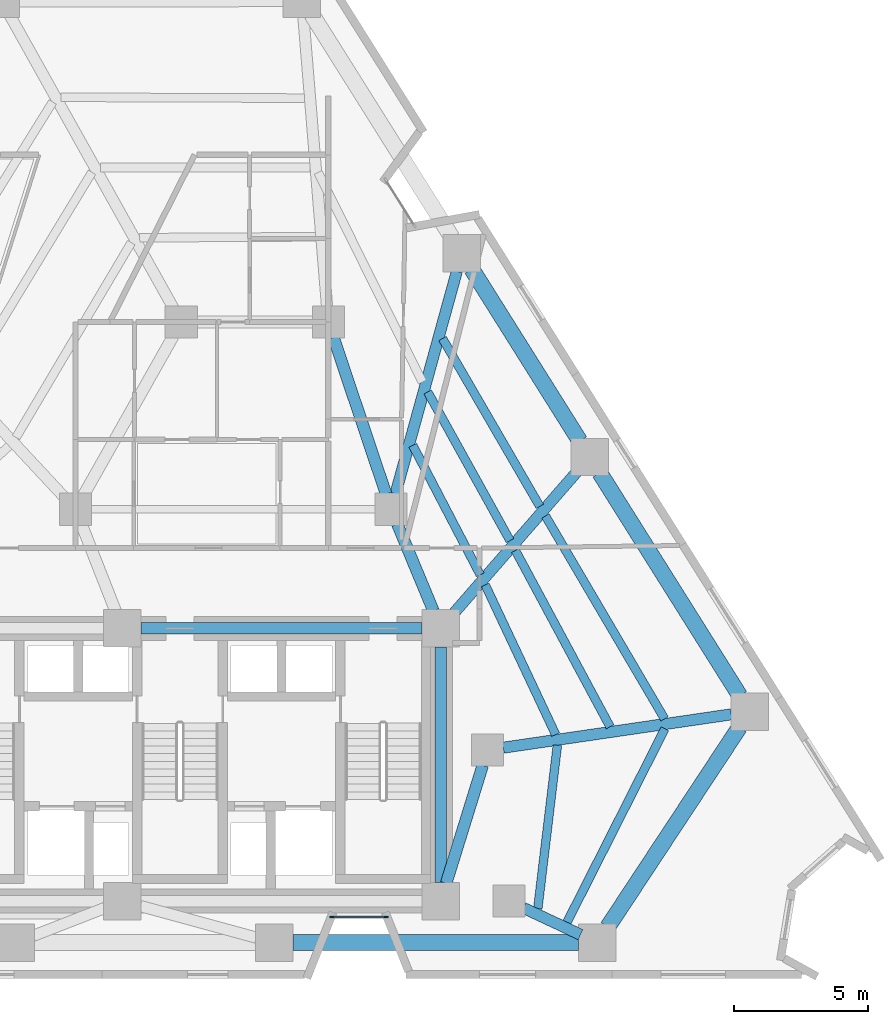
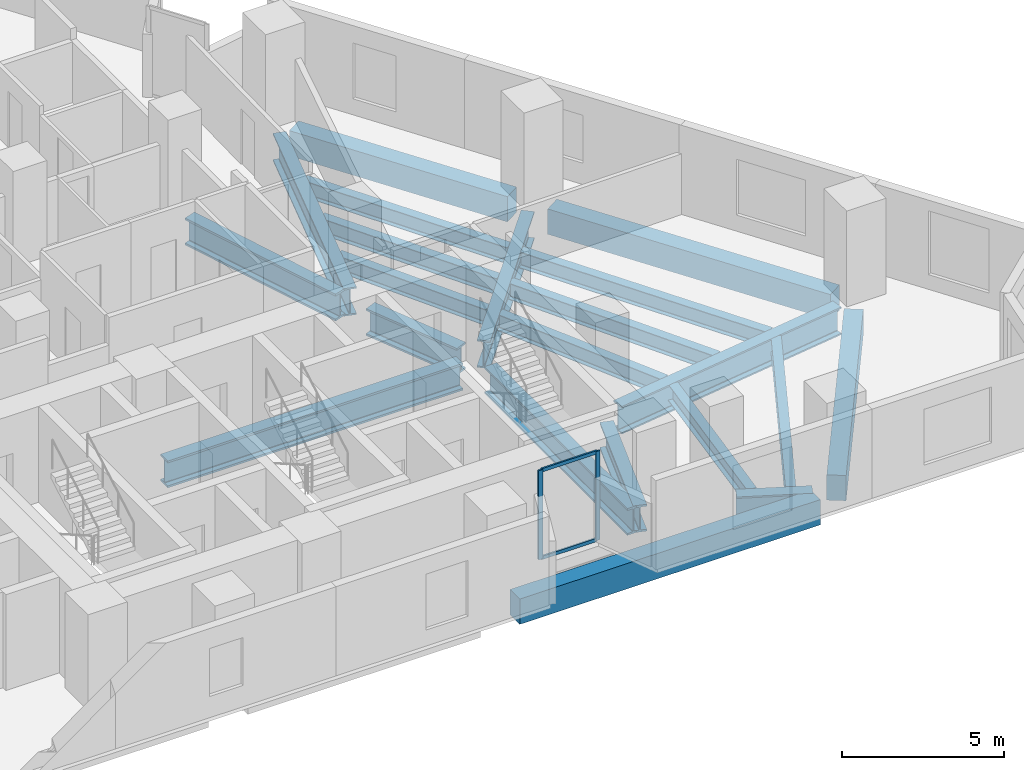
# One storey, part 4 of 14: 21 beams, 4 members, 1 element without a shape of its own.
"""IFC4 building model written with IfcOpenShell, lengths in metres."""

from ifc_helpers import new_model, si_unit, direction, frame, origin, origin_2d, place, context, subcontext, project, spatial, rectangle, i_section, extrude, material, layer, layer_set, material_profile, profile_set, type_object, element, aggregate, save


model = new_model("IFC4")

# Units and contexts
model_context = context("Model", 3, precision=1e-05, world=origin(), true_north=direction((0.0, 1.0)))
body_context = subcontext(model_context, "Body", "Model", "MODEL_VIEW")
ifc_project = project(units=[si_unit("LENGTHUNIT", "METRE"), si_unit("AREAUNIT", "SQUARE_METRE"), si_unit("VOLUMEUNIT", "CUBIC_METRE"), si_unit("PLANEANGLEUNIT", "RADIAN"), si_unit("MASSUNIT", "GRAM", prefix="KILO")], contexts=[model_context])

# Site, building, storey
site_placement = place(None, origin())
site = spatial("IfcSite", under=ifc_project, at=site_placement, CompositionType="ELEMENT")
building_placement = place(site_placement, origin())
building = spatial("IfcBuilding", under=site, at=building_placement, Name="Almagre Mirador Tower", CompositionType="ELEMENT")
storey_placement = place(building_placement, frame((0.0, 0.0, 60.60009765625)))
storey = spatial("IfcBuildingStorey", under=building, at=storey_placement, Name="L14", CompositionType="ELEMENT", Elevation=60.60009765625)

# Beams
ifc_material_1 = material(Name="Steel ASTM A992 Grade 50", Category="steel")
ifc_material_profile_1 = material_profile(ifc_material_1, i_section(OverallWidth=0.323974609375, OverallDepth=0.611083984375, WebThickness=0.0126953125, FlangeThickness=0.01904296875, FilletRadius=0.02001953125, at=origin_2d()), Name="W24X104")
ifc_profile_set_1 = profile_set([ifc_material_profile_1], Name="Steel ASTM A992 Grade 50")
beam_type_1 = type_object("IfcBeamType", Name="BM-JST-W24X104", PredefinedType="JOIST", material=ifc_profile_set_1)
beam_1_placement = place(storey_placement, frame((51.77490234375, 3.763427734375, -0.5556640625), z_axis=(0.45132909199, 0.892357580079, 0.0), x_axis=(-0.892357580079, 0.45132909199, 0.0)))
element("IfcBeam", 1, at=beam_1_placement, inside=storey, type_object=beam_type_1, Name="L14 secondary floor joist PC04-PC05.1", PredefinedType="JOIST", context=body_context, shape_type="SweptSolid", body=[
    extrude(i_section(OverallWidth=0.323974609375, OverallDepth=0.611083984375, WebThickness=0.0126953125, FlangeThickness=0.01904296875, FilletRadius=0.02001953125, at=origin_2d()), origin(), (0.0, 0.0, 1.0), 8.10595703125),
])
beam_2_placement = place(storey_placement, frame((50.6806640625, 4.263916015625, -0.5556640625), z_axis=(0.119026397741, 0.99289109002, 0.0), x_axis=(-0.99289109002, 0.119026397741, 0.0)))
element("IfcBeam", 2, at=beam_2_placement, inside=storey, type_object=beam_type_1, Name="L14 secondary floor joist PC04-PC05.3", PredefinedType="JOIST", context=body_context, shape_type="SweptSolid", body=[
    extrude(i_section(OverallWidth=0.323974609375, OverallDepth=0.611083984375, WebThickness=0.0126953125, FlangeThickness=0.01904296875, FilletRadius=0.02001953125, at=origin_2d()), origin(), (0.0, 0.0, 1.0), 6.157470703125),
])
beam_3_placement = place(storey_placement, frame((55.421875, 11.364501953125, -0.5556640625), z_axis=(-0.506385486281, 0.86230721862, 0.0), x_axis=(-0.86230721862, -0.506385486281, 0.0)))
element("IfcBeam", 3, at=beam_3_placement, inside=storey, type_object=beam_type_1, Name="L14 secondary floor joist PC05-PC06.1", PredefinedType="JOIST", context=body_context, shape_type="SweptSolid", body=[
    extrude(i_section(OverallWidth=0.323974609375, OverallDepth=0.611083984375, WebThickness=0.0126953125, FlangeThickness=0.01904296875, FilletRadius=0.02001953125, at=origin_2d()), origin(), (0.0, 0.0, 1.0), 8.79443359375),
])
beam_4_placement = place(storey_placement, frame((53.384033203125, 11.0693359375, -0.5556640625), z_axis=(-0.473167442946, 0.880972514291, 0.0), x_axis=(-0.880972514291, -0.473167442946, 0.0)))
element("IfcBeam", 4, at=beam_4_placement, inside=storey, type_object=beam_type_1, Name="L14 secondary floor joist PC05-PC06.2", PredefinedType="JOIST", context=body_context, shape_type="SweptSolid", body=[
    extrude(i_section(OverallWidth=0.323974609375, OverallDepth=0.611083984375, WebThickness=0.0126953125, FlangeThickness=0.01904296875, FilletRadius=0.02001953125, at=origin_2d()), origin(), (0.0, 0.0, 1.0), 7.481689453125),
])
beam_5_placement = place(storey_placement, frame((51.34912109375, 10.775390625, -0.5556640625), z_axis=(-0.425658253991, 0.904883998538, 0.0), x_axis=(-0.904883998538, -0.425658253991, 0.0)))
element("IfcBeam", 5, at=beam_5_placement, inside=storey, type_object=beam_type_1, Name="L14 secondary floor joist PC05-PC06.3", PredefinedType="JOIST", context=body_context, shape_type="SweptSolid", body=[
    extrude(i_section(OverallWidth=0.323974609375, OverallDepth=0.611083984375, WebThickness=0.0126953125, FlangeThickness=0.01904296875, FilletRadius=0.02001953125, at=origin_2d()), origin(), (0.0, 0.0, 1.0), 6.184814453125),
])
beam_6_placement = place(storey_placement, frame((50.75732421875, 19.309814453125, -0.5556640625), z_axis=(-0.501684848086, 0.865050468586, 0.0), x_axis=(-0.865050468586, -0.501684848086, 0.0)))
element("IfcBeam", 6, at=beam_6_placement, inside=storey, type_object=beam_type_1, Name="L14 secondary floor joist PC06-PC07.1", PredefinedType="JOIST", context=body_context, shape_type="SweptSolid", body=[
    extrude(i_section(OverallWidth=0.323974609375, OverallDepth=0.611083984375, WebThickness=0.0126953125, FlangeThickness=0.01904296875, FilletRadius=0.02001953125, at=origin_2d()), origin(), (0.0, 0.0, 1.0), 7.25439453125),
])
beam_7_placement = place(storey_placement, frame((49.643310546875, 18.0283203125, -0.5556640625), z_axis=(-0.484660833116, 0.87470216465, 0.0), x_axis=(-0.87470216465, -0.484660833116, 0.0)))
element("IfcBeam", 7, at=beam_7_placement, inside=storey, type_object=beam_type_1, Name="L14 secondary floor joist PC06-PC07.2", PredefinedType="JOIST", context=body_context, shape_type="SweptSolid", body=[
    extrude(i_section(OverallWidth=0.323974609375, OverallDepth=0.611083984375, WebThickness=0.0126953125, FlangeThickness=0.01904296875, FilletRadius=0.02001953125, at=origin_2d()), origin(), (0.0, 0.0, 1.0), 6.355224609375),
])
beam_8_placement = place(storey_placement, frame((48.530517578125, 16.747314453125, -0.5556640625), z_axis=(-0.462141076128, 0.88680641955, 0.0), x_axis=(-0.88680641955, -0.462141076128, 0.0)))
element("IfcBeam", 8, at=beam_8_placement, inside=storey, type_object=beam_type_1, Name="L14 secondary floor joist PC06-PC07.3", PredefinedType="JOIST", context=body_context, shape_type="SweptSolid", body=[
    extrude(i_section(OverallWidth=0.323974609375, OverallDepth=0.611083984375, WebThickness=0.0126953125, FlangeThickness=0.01904296875, FilletRadius=0.02001953125, at=origin_2d()), origin(), (0.0, 0.0, 1.0), 5.459228515625),
])
ifc_material_2 = material(Name="Precast concrete C50/60", Category="concrete")
ifc_material_profile_2 = material_profile(ifc_material_2, rectangle(XDim=0.60009765625, YDim=0.949951171875, at=origin_2d()), Name="RC600X950")
ifc_profile_set_2 = profile_set([ifc_material_profile_2], Name="Precast concrete C50/60")
beam_type_2 = type_object("IfcBeamType", Name="BM-SPN-RC600X950", PredefinedType="SPANDREL", material=ifc_profile_set_2)
beam_9_placement = place(storey_placement, frame((41.531982421875, 3.0, -0.72509765625), z_axis=(1.0, 0.0, 0.0), x_axis=(0.0, 1.0, 0.0)))
element("IfcBeam", 9, at=beam_9_placement, inside=storey, type_object=beam_type_2, Name="L14 perimeter spandrel beam PC03-PC04", PredefinedType="SPANDREL", context=body_context, shape_type="SweptSolid", body=[
    extrude(rectangle(XDim=0.60009765625, YDim=0.949951171875, at=origin_2d()), origin(), (0.0, 0.0, 1.0), 10.679931640625),
])
beam_10_placement = place(storey_placement, frame((53.29736328125, 3.58447265625, -0.72509765625), z_axis=(0.550560338686, 0.834795372211, 0.0), x_axis=(-0.834795372211, 0.550560338686, 0.0)))
element("IfcBeam", 10, at=beam_10_placement, inside=storey, type_object=beam_type_2, Name="L14 perimeter spandrel beam PC04-PC05", PredefinedType="SPANDREL", context=body_context, shape_type="SweptSolid", body=[
    extrude(rectangle(XDim=0.60009765625, YDim=0.949951171875, at=origin_2d()), origin(), (0.0, 0.0, 1.0), 8.9423828125),
])
beam_11_placement = place(storey_placement, frame((58.233642578125, 12.226806640625, -0.72509765625), z_axis=(-0.531919552243, 0.846794892487, 0.0), x_axis=(-0.846794892487, -0.531919552243, 0.0)))
element("IfcBeam", 11, at=beam_11_placement, inside=storey, type_object=beam_type_2, Name="L14 perimeter spandrel beam PC05-PC06", PredefinedType="SPANDREL", context=body_context, shape_type="SweptSolid", body=[
    extrude(rectangle(XDim=0.60009765625, YDim=0.949951171875, at=origin_2d()), origin(), (0.0, 0.0, 1.0), 9.84228515625),
])
beam_12_placement = place(storey_placement, frame((52.253662109375, 21.746826171875, -0.72509765625), z_axis=(-0.531919345601, 0.84679502229, 0.0), x_axis=(-0.84679502229, -0.531919345601, 0.0)))
element("IfcBeam", 12, at=beam_12_placement, inside=storey, type_object=beam_type_2, Name="L14 perimeter spandrel beam PC06-PC07", PredefinedType="SPANDREL", context=body_context, shape_type="SweptSolid", body=[
    extrude(rectangle(XDim=0.60009765625, YDim=0.949951171875, at=origin_2d()), origin(), (0.0, 0.0, 1.0), 7.59375),
])
ifc_material_3 = material(Name="Steel ASTM A992 Grade 50", Category="steel")
ifc_material_profile_3 = material_profile(ifc_material_3, i_section(OverallWidth=0.43701171875, OverallDepth=1.010986328125, WebThickness=0.041015625, FlangeThickness=0.073974609375, FilletRadius=0.028076171875, at=origin_2d()), Name="W36X529")
ifc_profile_set_3 = profile_set([ifc_material_profile_3], Name="Steel ASTM A992 Grade 50")
beam_type_3 = type_object("IfcBeamType", Name="BM-STL-W36X529", PredefinedType="BEAM", material=ifc_profile_set_3)
beam_13_placement = place(storey_placement, frame((35.85009765625, 14.75, -0.755615234375), z_axis=(1.0, 0.0, 0.0), x_axis=(0.0, 1.0, 0.0)))
element("IfcBeam", 13, at=beam_13_placement, inside=storey, type_object=beam_type_3, Name="L14 core tie girder CC5-CC6", PredefinedType="BEAM", context=body_context, shape_type="SweptSolid", body=[
    extrude(i_section(OverallWidth=0.43701171875, OverallDepth=1.010986328125, WebThickness=0.041015625, FlangeThickness=0.073974609375, FilletRadius=0.028076171875, at=origin_2d()), origin(), (0.0, 0.0, 1.0), 10.5),
])
beam_14_placement = place(storey_placement, frame((47.050048828125, 5.25, -0.755615234375), z_axis=(0.0, 1.0, 0.0), x_axis=(-1.0, 0.0, 0.0)))
element("IfcBeam", 14, at=beam_14_placement, inside=storey, type_object=beam_type_3, Name="L14 core tie girder CC3-CC6", PredefinedType="BEAM", context=body_context, shape_type="SweptSolid", body=[
    extrude(i_section(OverallWidth=0.43701171875, OverallDepth=1.010986328125, WebThickness=0.041015625, FlangeThickness=0.073974609375, FilletRadius=0.028076171875, at=origin_2d()), origin(), (0.0, 0.0, 1.0), 8.800048828125),
])
beam_15_placement = place(storey_placement, frame((48.62255859375, 9.626953125, -0.755615234375), z_axis=(-0.295888328273, -0.955222538046, 0.0), x_axis=(0.955222538046, -0.295888328273, 0.0)))
element("IfcBeam", 15, at=beam_15_placement, inside=storey, type_object=beam_type_3, Name="L14 core tie girder MC3-CC3", PredefinedType="BEAM", context=body_context, shape_type="SweptSolid", body=[
    extrude(i_section(OverallWidth=0.43701171875, OverallDepth=1.010986328125, WebThickness=0.041015625, FlangeThickness=0.073974609375, FilletRadius=0.028076171875, at=origin_2d()), origin(), (0.0, 0.0, 1.0), 4.61474609375),
])
beam_16_placement = place(storey_placement, frame((45.430419921875, 18.64599609375, -0.755615234375), z_axis=(0.383856635851, -0.923392702545, 0.0), x_axis=(0.923392702545, 0.383856635851, 0.0)))
element("IfcBeam", 16, at=beam_16_placement, inside=storey, type_object=beam_type_3, Name="L14 core tie girder MC5-CC6", PredefinedType="BEAM", context=body_context, shape_type="SweptSolid", body=[
    extrude(i_section(OverallWidth=0.43701171875, OverallDepth=1.010986328125, WebThickness=0.041015625, FlangeThickness=0.073974609375, FilletRadius=0.028076171875, at=origin_2d()), origin(), (0.0, 0.0, 1.0), 3.51904296875),
])
beam_17_placement = place(storey_placement, frame((43.041015625, 25.631103515625, -0.755615234375), z_axis=(0.318252395552, -0.948006019351, 0.0), x_axis=(0.948006019351, 0.318252395552, 0.0)))
element("IfcBeam", 17, at=beam_17_placement, inside=storey, type_object=beam_type_3, Name="L14 core tie girder MC6-MC5", PredefinedType="BEAM", context=body_context, shape_type="SweptSolid", body=[
    extrude(i_section(OverallWidth=0.43701171875, OverallDepth=1.010986328125, WebThickness=0.041015625, FlangeThickness=0.073974609375, FilletRadius=0.028076171875, at=origin_2d()), origin(), (0.0, 0.0, 1.0), 6.183837890625),
])
ifc_material_4 = material(Name="Steel ASTM A913 Grade 65", Category="steel")
ifc_material_profile_4 = material_profile(ifc_material_4, i_section(OverallWidth=0.4189453125, OverallDepth=1.041015625, WebThickness=0.031005859375, FlangeThickness=0.055908203125, FilletRadius=0.030029296875, at=origin_2d()), Name="W40X397")
ifc_profile_set_4 = profile_set([ifc_material_profile_4], Name="Steel ASTM A913 Grade 65")
beam_type_4 = type_object("IfcBeamType", Name="BM-STL-W40X397", PredefinedType="BEAM", material=ifc_profile_set_4)
beam_18_placement = place(storey_placement, frame((52.278076171875, 3.296630859375, -0.7705078125), z_axis=(-0.905727455925, 0.423860561487, 0.0), x_axis=(-0.423860561487, -0.905727455925, 0.0)))
element("IfcBeam", 18, at=beam_18_placement, inside=storey, type_object=beam_type_4, Name="L14 radial floor girder PC04-MC2", PredefinedType="BEAM", context=body_context, shape_type="SweptSolid", body=[
    extrude(i_section(OverallWidth=0.4189453125, OverallDepth=1.041015625, WebThickness=0.031005859375, FlangeThickness=0.055908203125, FilletRadius=0.030029296875, at=origin_2d()), origin(), (0.0, 0.0, 1.0), 2.35693359375),
])
beam_19_placement = place(storey_placement, frame((57.913330078125, 11.53271484375, -0.7705078125), z_axis=(-0.989476218812, -0.144695585299, 0.0), x_axis=(0.144695585299, -0.989476218812, 0.0)))
element("IfcBeam", 19, at=beam_19_placement, inside=storey, type_object=beam_type_4, Name="L14 radial floor girder PC05-MC3", PredefinedType="BEAM", context=body_context, shape_type="SweptSolid", body=[
    extrude(i_section(OverallWidth=0.4189453125, OverallDepth=1.041015625, WebThickness=0.031005859375, FlangeThickness=0.055908203125, FilletRadius=0.030029296875, at=origin_2d()), origin(), (0.0, 0.0, 1.0), 8.610107421875),
])
beam_20_placement = place(storey_placement, frame((52.166259765625, 20.626220703125, -0.7705078125), z_axis=(-0.6566380112, -0.7542058885, 0.0), x_axis=(0.7542058885, -0.6566380112, 0.0)))
element("IfcBeam", 20, at=beam_20_placement, inside=storey, type_object=beam_type_4, Name="L14 radial floor girder PC06-CC6", PredefinedType="BEAM", context=body_context, shape_type="SweptSolid", body=[
    extrude(i_section(OverallWidth=0.4189453125, OverallDepth=1.041015625, WebThickness=0.031005859375, FlangeThickness=0.055908203125, FilletRadius=0.030029296875, at=origin_2d()), origin(), (0.0, 0.0, 1.0), 7.09130859375),
])
beam_21_placement = place(storey_placement, frame((47.65576171875, 28.09521484375, -0.7705078125), z_axis=(-0.266125752787, -0.96393831945, 0.0), x_axis=(0.96393831945, -0.266125752787, 0.0)))
element("IfcBeam", 21, at=beam_21_placement, inside=storey, type_object=beam_type_4, Name="L14 radial floor girder PC07-MC5", PredefinedType="BEAM", context=body_context, shape_type="SweptSolid", body=[
    extrude(i_section(OverallWidth=0.4189453125, OverallDepth=1.041015625, WebThickness=0.031005859375, FlangeThickness=0.055908203125, FilletRadius=0.030029296875, at=origin_2d()), origin(), (0.0, 0.0, 1.0), 8.6279296875),
])

# Curtain wall, members
ifc_material_5 = material(Name="Black anodized aluminium", Category="aluminium")
ifc_layer = layer(ifc_material_5, 0.169921875)
ifc_layer_set = layer_set([ifc_layer], Name="Black anodized aluminium")
curtain_wall_type = type_object("IfcCurtainWallType", Name="CW-CRS-SYS", PredefinedType="NOTDEFINED", material=ifc_layer_set)
curtain_wall_placement = place(storey_placement, origin())
curtain_wall = element("IfcCurtainWall", 22, at=curtain_wall_placement, inside=storey, type_object=curtain_wall_type, Name="L14 vertical crease curtain wall 04", PredefinedType="NOTDEFINED")
ifc_material_6 = material(Name="Black anodized aluminium", Category="aluminium")
ifc_material_profile_5 = material_profile(ifc_material_6, rectangle(XDim=0.06005859375, YDim=0.14990234375, at=origin_2d()), Name="CWM60X150")
ifc_profile_set_5 = profile_set([ifc_material_profile_5], Name="Black anodized aluminium")
member_type_1 = type_object("IfcMemberType", Name="MBR-CWM60X150", PredefinedType="MULLION", material=ifc_profile_set_5)
member_1_placement = place(storey_placement, frame((45.014892578125, 3.949951171875, 0.0), z_axis=(0.0, 0.0, 1.0), x_axis=(0.0, -1.0, 0.0)))
member_1 = element("IfcMember", 23, at=member_1_placement, type_object=member_type_1, Name="CW-4 mullion 1", PredefinedType="MULLION", context=body_context, shape_type="SweptSolid", body=[
    extrude(rectangle(XDim=0.06005859375, YDim=0.14990234375, at=origin_2d()), origin(), (0.0, 0.0, 1.0), 3.349853515625),
])
member_2_placement = place(storey_placement, frame((42.985107421875, 3.949951171875, 0.0), z_axis=(0.0, 0.0, 1.0), x_axis=(0.0, -1.0, 0.0)))
member_2 = element("IfcMember", 24, at=member_2_placement, type_object=member_type_1, Name="CW-4 mullion 2", PredefinedType="MULLION", context=body_context, shape_type="SweptSolid", body=[
    extrude(rectangle(XDim=0.06005859375, YDim=0.14990234375, at=origin_2d()), origin(), (0.0, 0.0, 1.0), 3.349853515625),
])
ifc_material_7 = material(Name="Black anodized aluminium", Category="aluminium")
ifc_material_profile_6 = material_profile(ifc_material_7, rectangle(XDim=0.06005859375, YDim=0.1298828125, at=origin_2d()), Name="CWT60X130")
ifc_profile_set_6 = profile_set([ifc_material_profile_6], Name="Black anodized aluminium")
member_type_2 = type_object("IfcMemberType", Name="MBR-CWT60X130", PredefinedType="USERDEFINED", material=ifc_profile_set_6)
member_3_placement = place(storey_placement, frame((44.985107421875, 3.949951171875, 0.02978515625), z_axis=(-1.0, 0.0, 0.0), x_axis=(0.0, -1.0, 0.0)))
member_3 = element("IfcMember", 25, at=member_3_placement, type_object=member_type_2, Name="CW-4 transom 1.1", ObjectType="TRANSOM", PredefinedType="USERDEFINED", context=body_context, shape_type="SweptSolid", body=[
    extrude(rectangle(XDim=0.06005859375, YDim=0.1298828125, at=origin_2d()), origin(), (0.0, 0.0, 1.0), 1.97021484375),
])
member_4_placement = place(storey_placement, frame((44.985107421875, 3.949951171875, 3.31982421875), z_axis=(-1.0, 0.0, 0.0), x_axis=(0.0, -1.0, 0.0)))
member_4 = element("IfcMember", 26, at=member_4_placement, type_object=member_type_2, Name="CW-4 transom 1.2", ObjectType="TRANSOM", PredefinedType="USERDEFINED", context=body_context, shape_type="SweptSolid", body=[
    extrude(rectangle(XDim=0.06005859375, YDim=0.1298828125, at=origin_2d()), origin(), (0.0, 0.0, 1.0), 1.97021484375),
])
aggregate(curtain_wall, [member_1, member_2, member_3, member_4])

save(model, "model.ifc")
